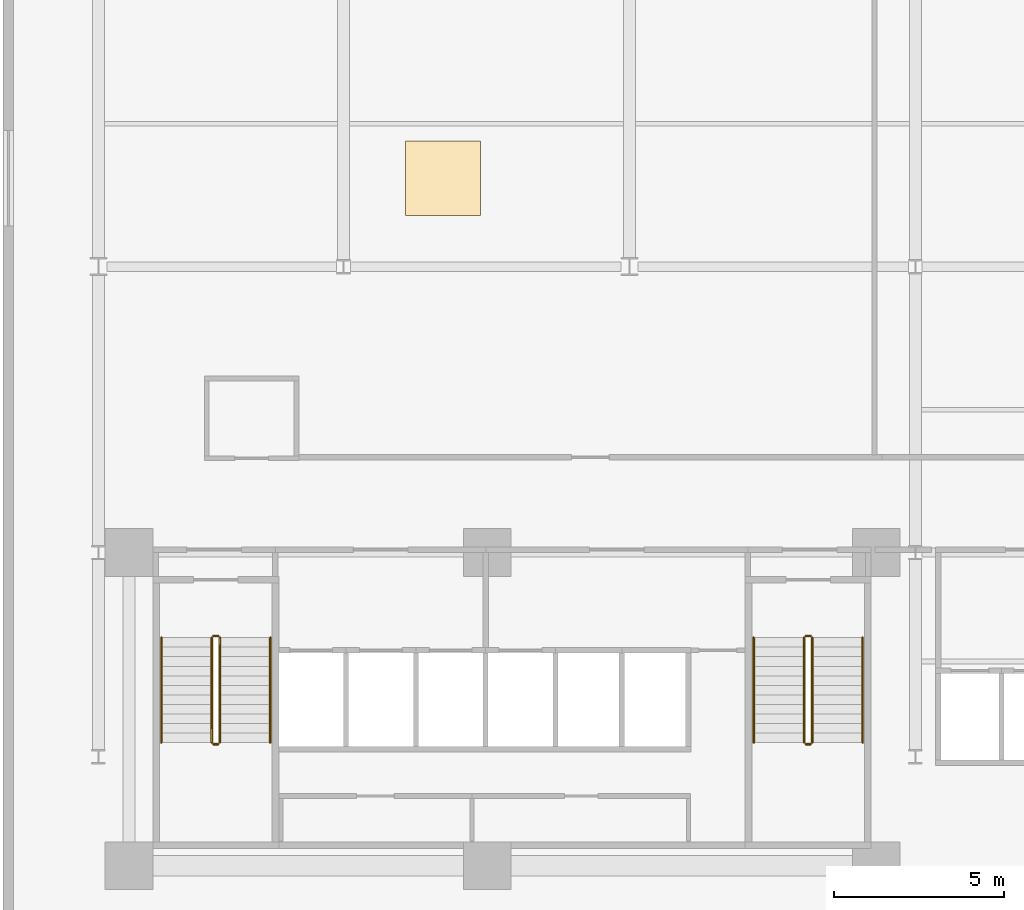
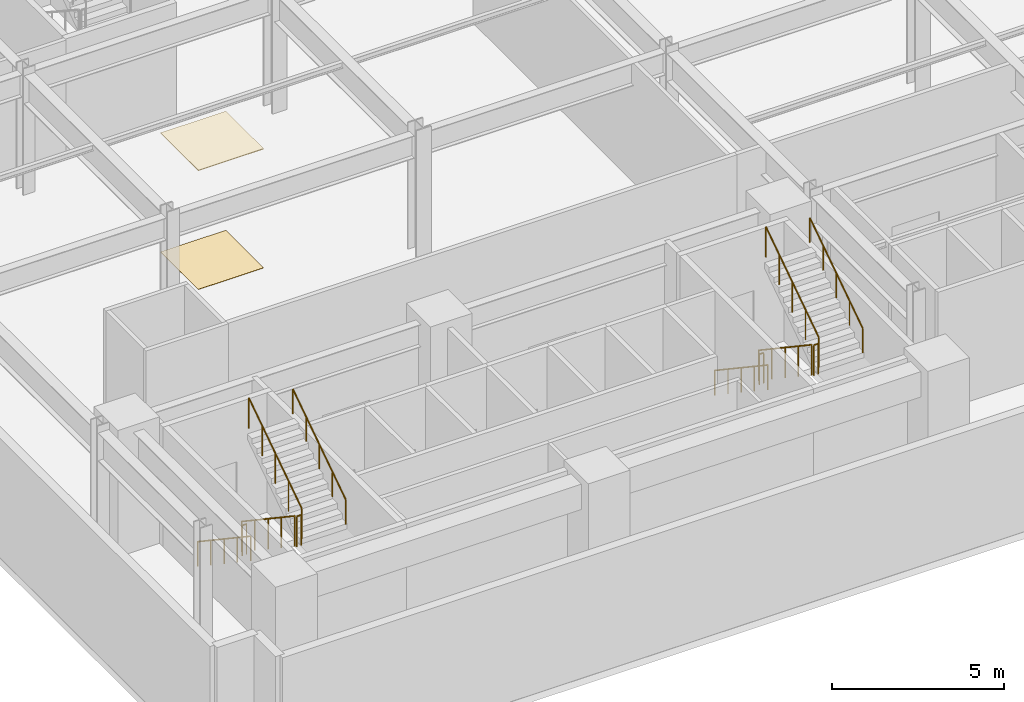
# One storey, part 21 of 26: 12 railings, 2 coverings.
"""IFC4 building model written with IfcOpenShell, lengths in metres."""

from ifc_helpers import new_model, si_unit, direction, frame, origin, origin_2d, place, context, subcontext, project, spatial, rectangle, circle, extrude, material, layer, layer_set, type_object, element, save


model = new_model("IFC4")

# Units and contexts
model_context = context("Model", 3, precision=1e-05, world=origin(), true_north=direction((0.0, 1.0)))
body_context = subcontext(model_context, "Body", "Model", "MODEL_VIEW")
ifc_project = project(units=[si_unit("LENGTHUNIT", "METRE"), si_unit("AREAUNIT", "SQUARE_METRE"), si_unit("VOLUMEUNIT", "CUBIC_METRE"), si_unit("PLANEANGLEUNIT", "RADIAN"), si_unit("MASSUNIT", "GRAM", prefix="KILO")], contexts=[model_context])

# Site, building, storey
site_placement = place(None, origin())
site = spatial("IfcSite", under=ifc_project, at=site_placement, CompositionType="ELEMENT")
building_placement = place(site_placement, origin())
building = spatial("IfcBuilding", under=site, at=building_placement, Name="Varnakote Quay Hospital", CompositionType="ELEMENT")
storey_placement = place(building_placement, frame((0.0, 0.0, 13.5)))
storey = spatial("IfcBuildingStorey", under=building, at=storey_placement, Name="L03", CompositionType="ELEMENT", Elevation=13.5)

# Coverings
ifc_material_1 = material(Name="Antimicrobial acoustic mineral ceiling tile", Category="gypsum")
ifc_layer_1 = layer(ifc_material_1, 0.02490234375)
ifc_layer_set_1 = layer_set([ifc_layer_1], Name="Antimicrobial acoustic mineral ceiling tile")
covering_type_1 = type_object("IfcCoveringType", Name="COV-CLIN-CEIL-25", PredefinedType="CEILING", material=ifc_layer_set_1)
covering_1_placement = place(storey_placement, frame((11.324951171875, 22.9951171875, 4.22509765625), z_axis=(0.0, 0.0, 1.0), x_axis=(1.0, 0.0, 0.0)))
element("IfcCovering", 1, at=covering_1_placement, inside=storey, type_object=covering_type_1, Name="L03 Antimicrobial Acoustic Ceiling Tile", PredefinedType="CEILING", context=body_context, shape_type="SweptSolid", body=[
    extrude(rectangle(XDim=2.199951171875, YDim=2.199951171875, at=origin_2d()), origin(), (0.0, 0.0, 1.0), 0.02490234375),
])
ifc_material_2 = material(Name="Seamless clinical sheet vinyl flooring")
ifc_layer_2 = layer(ifc_material_2, 0.011962890625)
ifc_layer_set_2 = layer_set([ifc_layer_2], Name="Seamless clinical sheet vinyl flooring")
covering_type_2 = type_object("IfcCoveringType", Name="COV-CLIN-VINYL-12", PredefinedType="FLOORING", material=ifc_layer_set_2)
covering_2_placement = place(storey_placement, frame((11.324951171875, 22.9951171875, 0.0), z_axis=(0.0, 0.0, 1.0), x_axis=(1.0, 0.0, 0.0)))
element("IfcCovering", 2, at=covering_2_placement, inside=storey, type_object=covering_type_2, Name="L03 Seamless Clinical Vinyl Flooring", PredefinedType="FLOORING", context=body_context, shape_type="SweptSolid", body=[
    extrude(rectangle(XDim=2.199951171875, YDim=2.199951171875, at=origin_2d()), origin(), (0.0, 0.0, 1.0), 0.011962890625),
])

# Railings
ifc_material_3 = material(Name="Brushed stainless steel balustrade", Category="steel")
railing_type_1 = type_object("IfcRailingType", Name="RLG-STAIR-GUARD-1150", PredefinedType="GUARDRAIL", material=ifc_material_3)
railing_1_placement = place(storey_placement, frame((4.530029296875, 9.5, 0.1875)))
element("IfcRailing", 3, at=railing_1_placement, inside=storey, type_object=railing_type_1, Name="L03 ST-01 stair guard 1", PredefinedType="GUARDRAIL", context=body_context, shape_type="SweptSolid", body=[
    extrude(circle(Radius=0.02392578125, at=origin_2d()), frame((0.0, 0.0, 1.076171875), z_axis=(0.0, -0.830913701846, 0.55640131208), x_axis=(1.0, 0.0, 0.0)), (0.0, 0.0, 1.0), 3.706787109375),
    extrude(circle(Radius=0.02099609375, at=origin_2d()), origin(), (0.0, 0.0, 1.0), 1.052001953125),
    extrude(circle(Radius=0.02099609375, at=origin_2d()), frame((0.0, -0.77001953125, 0.515625)), (0.0, 0.0, 1.0), 1.052001953125),
    extrude(circle(Radius=0.02099609375, at=origin_2d()), frame((0.0, -1.5400390625, 1.03125)), (0.0, 0.0, 1.0), 1.052001953125),
    extrude(circle(Radius=0.02099609375, at=origin_2d()), frame((0.0, -2.31005859375, 1.546875)), (0.0, 0.0, 1.0), 1.052001953125),
    extrude(circle(Radius=0.02099609375, at=origin_2d()), frame((0.0, -3.080078125, 2.0625)), (0.0, 0.0, 1.0), 1.052001953125),
])
railing_2_placement = place(storey_placement, frame((4.580078125, 6.3701171875, 2.25)))
element("IfcRailing", 4, at=railing_2_placement, inside=storey, type_object=railing_type_1, Name="L03 ST-01 stair guard 2", PredefinedType="GUARDRAIL", context=body_context, shape_type="SweptSolid", body=[
    extrude(circle(Radius=0.02392578125, at=origin_2d()), frame((0.0, 0.0, 1.076171875), z_axis=(1.0, 0.0, 0.0), x_axis=(0.0, 1.0, 0.0)), (0.0, 0.0, 1.0), 0.139892578125),
    extrude(circle(Radius=0.02099609375, at=origin_2d()), origin(), (0.0, 0.0, 1.0), 1.052001953125),
    extrude(circle(Radius=0.02099609375, at=origin_2d()), frame((0.139892578125, 0.0, 0.0)), (0.0, 0.0, 1.0), 1.052001953125),
])
railing_3_placement = place(storey_placement, frame((4.77001953125, 6.419921875, 2.4375)))
element("IfcRailing", 5, at=railing_3_placement, inside=storey, type_object=railing_type_1, Name="L03 ST-01 stair guard 3", PredefinedType="GUARDRAIL", context=body_context, shape_type="SweptSolid", body=[
    extrude(circle(Radius=0.02392578125, at=origin_2d()), frame((0.0, 0.0, 1.076171875), z_axis=(0.0, 0.830913701846, 0.55640131208), x_axis=(-1.0, 0.0, 0.0)), (0.0, 0.0, 1.0), 3.706787109375),
    extrude(circle(Radius=0.02099609375, at=origin_2d()), origin(), (0.0, 0.0, 1.0), 1.052001953125),
    extrude(circle(Radius=0.02099609375, at=origin_2d()), frame((0.0, 0.77001953125, 0.515625)), (0.0, 0.0, 1.0), 1.052001953125),
    extrude(circle(Radius=0.02099609375, at=origin_2d()), frame((0.0, 1.5400390625, 1.03125)), (0.0, 0.0, 1.0), 1.052001953125),
    extrude(circle(Radius=0.02099609375, at=origin_2d()), frame((0.0, 2.31005859375, 1.546875)), (0.0, 0.0, 1.0), 1.052001953125),
    extrude(circle(Radius=0.02099609375, at=origin_2d()), frame((0.0, 3.080078125, 2.0625)), (0.0, 0.0, 1.0), 1.052001953125),
])
railing_4_placement = place(storey_placement, frame((4.580078125, 9.550048828125, 0.0)))
element("IfcRailing", 6, at=railing_4_placement, inside=storey, type_object=railing_type_1, Name="L03 ST-01 stair guard 4", PredefinedType="GUARDRAIL", context=body_context, shape_type="SweptSolid", body=[
    extrude(circle(Radius=0.02392578125, at=origin_2d()), frame((0.0, 0.0, 1.076171875), z_axis=(1.0, 0.0, 0.0), x_axis=(0.0, 1.0, 0.0)), (0.0, 0.0, 1.0), 0.139892578125),
    extrude(circle(Radius=0.02099609375, at=origin_2d()), origin(), (0.0, 0.0, 1.0), 1.052001953125),
    extrude(circle(Radius=0.02099609375, at=origin_2d()), frame((0.139892578125, 0.0, 0.0)), (0.0, 0.0, 1.0), 1.052001953125),
])
railing_5_placement = place(storey_placement, frame((21.929931640625, 9.5, 0.1875)))
element("IfcRailing", 7, at=railing_5_placement, inside=storey, type_object=railing_type_1, Name="L03 ST-02 stair guard 1", PredefinedType="GUARDRAIL", context=body_context, shape_type="SweptSolid", body=[
    extrude(circle(Radius=0.02392578125, at=origin_2d()), frame((0.0, 0.0, 1.076171875), z_axis=(0.0, -0.830913701846, 0.55640131208), x_axis=(1.0, 0.0, 0.0)), (0.0, 0.0, 1.0), 3.706787109375),
    extrude(circle(Radius=0.02099609375, at=origin_2d()), origin(), (0.0, 0.0, 1.0), 1.052001953125),
    extrude(circle(Radius=0.02099609375, at=origin_2d()), frame((0.0, -0.77001953125, 0.515625)), (0.0, 0.0, 1.0), 1.052001953125),
    extrude(circle(Radius=0.02099609375, at=origin_2d()), frame((0.0, -1.5400390625, 1.03125)), (0.0, 0.0, 1.0), 1.052001953125),
    extrude(circle(Radius=0.02099609375, at=origin_2d()), frame((0.0, -2.31005859375, 1.546875)), (0.0, 0.0, 1.0), 1.052001953125),
    extrude(circle(Radius=0.02099609375, at=origin_2d()), frame((0.0, -3.080078125, 2.0625)), (0.0, 0.0, 1.0), 1.052001953125),
])
railing_6_placement = place(storey_placement, frame((21.97998046875, 6.3701171875, 2.25)))
element("IfcRailing", 8, at=railing_6_placement, inside=storey, type_object=railing_type_1, Name="L03 ST-02 stair guard 2", PredefinedType="GUARDRAIL", context=body_context, shape_type="SweptSolid", body=[
    extrude(circle(Radius=0.02392578125, at=origin_2d()), frame((0.0, 0.0, 1.076171875), z_axis=(1.0, 0.0, 0.0), x_axis=(0.0, 1.0, 0.0)), (0.0, 0.0, 1.0), 0.14013671875),
    extrude(circle(Radius=0.02099609375, at=origin_2d()), origin(), (0.0, 0.0, 1.0), 1.052001953125),
    extrude(circle(Radius=0.02099609375, at=origin_2d()), frame((0.14013671875, 0.0, 0.0)), (0.0, 0.0, 1.0), 1.052001953125),
])
railing_7_placement = place(storey_placement, frame((22.169921875, 6.419921875, 2.4375)))
element("IfcRailing", 9, at=railing_7_placement, inside=storey, type_object=railing_type_1, Name="L03 ST-02 stair guard 3", PredefinedType="GUARDRAIL", context=body_context, shape_type="SweptSolid", body=[
    extrude(circle(Radius=0.02392578125, at=origin_2d()), frame((0.0, 0.0, 1.076171875), z_axis=(0.0, 0.830913701846, 0.55640131208), x_axis=(-1.0, 0.0, 0.0)), (0.0, 0.0, 1.0), 3.706787109375),
    extrude(circle(Radius=0.02099609375, at=origin_2d()), origin(), (0.0, 0.0, 1.0), 1.052001953125),
    extrude(circle(Radius=0.02099609375, at=origin_2d()), frame((0.0, 0.77001953125, 0.515625)), (0.0, 0.0, 1.0), 1.052001953125),
    extrude(circle(Radius=0.02099609375, at=origin_2d()), frame((0.0, 1.5400390625, 1.03125)), (0.0, 0.0, 1.0), 1.052001953125),
    extrude(circle(Radius=0.02099609375, at=origin_2d()), frame((0.0, 2.31005859375, 1.546875)), (0.0, 0.0, 1.0), 1.052001953125),
    extrude(circle(Radius=0.02099609375, at=origin_2d()), frame((0.0, 3.080078125, 2.0625)), (0.0, 0.0, 1.0), 1.052001953125),
])
railing_8_placement = place(storey_placement, frame((21.97998046875, 9.550048828125, 0.0)))
element("IfcRailing", 10, at=railing_8_placement, inside=storey, type_object=railing_type_1, Name="L03 ST-02 stair guard 4", PredefinedType="GUARDRAIL", context=body_context, shape_type="SweptSolid", body=[
    extrude(circle(Radius=0.02392578125, at=origin_2d()), frame((0.0, 0.0, 1.076171875), z_axis=(1.0, 0.0, 0.0), x_axis=(0.0, 1.0, 0.0)), (0.0, 0.0, 1.0), 0.14013671875),
    extrude(circle(Radius=0.02099609375, at=origin_2d()), origin(), (0.0, 0.0, 1.0), 1.052001953125),
    extrude(circle(Radius=0.02099609375, at=origin_2d()), frame((0.14013671875, 0.0, 0.0)), (0.0, 0.0, 1.0), 1.052001953125),
])
ifc_material_4 = material(Name="Brushed stainless steel handrail", Category="steel")
railing_type_2 = type_object("IfcRailingType", Name="RLG-STAIR-HND-920", PredefinedType="HANDRAIL", material=ifc_material_4)
railing_9_placement = place(storey_placement, frame((3.050048828125, 9.5, 0.1875)))
element("IfcRailing", 11, at=railing_9_placement, inside=storey, type_object=railing_type_2, Name="L03 ST-01 stair handrail 1", PredefinedType="HANDRAIL", context=body_context, shape_type="SweptSolid", body=[
    extrude(circle(Radius=0.02392578125, at=origin_2d()), frame((0.0, 0.0, 0.8759765625), z_axis=(0.0, -0.830913701846, 0.55640131208), x_axis=(1.0, 0.0, 0.0)), (0.0, 0.0, 1.0), 3.706787109375),
    extrude(circle(Radius=0.02099609375, at=origin_2d()), origin(), (0.0, 0.0, 1.0), 0.851806640625),
    extrude(circle(Radius=0.02099609375, at=origin_2d()), frame((0.0, -0.77001953125, 0.515625)), (0.0, 0.0, 1.0), 0.851806640625),
    extrude(circle(Radius=0.02099609375, at=origin_2d()), frame((0.0, -1.5400390625, 1.03125)), (0.0, 0.0, 1.0), 0.851806640625),
    extrude(circle(Radius=0.02099609375, at=origin_2d()), frame((0.0, -2.31005859375, 1.546875)), (0.0, 0.0, 1.0), 0.851806640625),
    extrude(circle(Radius=0.02099609375, at=origin_2d()), frame((0.0, -3.080078125, 2.0625)), (0.0, 0.0, 1.0), 0.851806640625),
])
railing_10_placement = place(storey_placement, frame((6.25, 6.419921875, 2.4375)))
element("IfcRailing", 12, at=railing_10_placement, inside=storey, type_object=railing_type_2, Name="L03 ST-01 stair handrail 2", PredefinedType="HANDRAIL", context=body_context, shape_type="SweptSolid", body=[
    extrude(circle(Radius=0.02392578125, at=origin_2d()), frame((0.0, 0.0, 0.8759765625), z_axis=(0.0, 0.830913701846, 0.55640131208), x_axis=(-1.0, 0.0, 0.0)), (0.0, 0.0, 1.0), 3.706787109375),
    extrude(circle(Radius=0.02099609375, at=origin_2d()), origin(), (0.0, 0.0, 1.0), 0.851806640625),
    extrude(circle(Radius=0.02099609375, at=origin_2d()), frame((0.0, 0.77001953125, 0.515625)), (0.0, 0.0, 1.0), 0.851806640625),
    extrude(circle(Radius=0.02099609375, at=origin_2d()), frame((0.0, 1.5400390625, 1.03125)), (0.0, 0.0, 1.0), 0.851806640625),
    extrude(circle(Radius=0.02099609375, at=origin_2d()), frame((0.0, 2.31005859375, 1.546875)), (0.0, 0.0, 1.0), 0.851806640625),
    extrude(circle(Radius=0.02099609375, at=origin_2d()), frame((0.0, 3.080078125, 2.0625)), (0.0, 0.0, 1.0), 0.851806640625),
])
railing_11_placement = place(storey_placement, frame((20.449951171875, 9.5, 0.1875)))
element("IfcRailing", 13, at=railing_11_placement, inside=storey, type_object=railing_type_2, Name="L03 ST-02 stair handrail 1", PredefinedType="HANDRAIL", context=body_context, shape_type="SweptSolid", body=[
    extrude(circle(Radius=0.02392578125, at=origin_2d()), frame((0.0, 0.0, 0.8759765625), z_axis=(0.0, -0.830913701846, 0.55640131208), x_axis=(1.0, 0.0, 0.0)), (0.0, 0.0, 1.0), 3.706787109375),
    extrude(circle(Radius=0.02099609375, at=origin_2d()), origin(), (0.0, 0.0, 1.0), 0.851806640625),
    extrude(circle(Radius=0.02099609375, at=origin_2d()), frame((0.0, -0.77001953125, 0.515625)), (0.0, 0.0, 1.0), 0.851806640625),
    extrude(circle(Radius=0.02099609375, at=origin_2d()), frame((0.0, -1.5400390625, 1.03125)), (0.0, 0.0, 1.0), 0.851806640625),
    extrude(circle(Radius=0.02099609375, at=origin_2d()), frame((0.0, -2.31005859375, 1.546875)), (0.0, 0.0, 1.0), 0.851806640625),
    extrude(circle(Radius=0.02099609375, at=origin_2d()), frame((0.0, -3.080078125, 2.0625)), (0.0, 0.0, 1.0), 0.851806640625),
])
railing_12_placement = place(storey_placement, frame((23.64990234375, 6.419921875, 2.4375)))
element("IfcRailing", 14, at=railing_12_placement, inside=storey, type_object=railing_type_2, Name="L03 ST-02 stair handrail 2", PredefinedType="HANDRAIL", context=body_context, shape_type="SweptSolid", body=[
    extrude(circle(Radius=0.02392578125, at=origin_2d()), frame((0.0, 0.0, 0.8759765625), z_axis=(0.0, 0.830913701846, 0.55640131208), x_axis=(-1.0, 0.0, 0.0)), (0.0, 0.0, 1.0), 3.706787109375),
    extrude(circle(Radius=0.02099609375, at=origin_2d()), origin(), (0.0, 0.0, 1.0), 0.851806640625),
    extrude(circle(Radius=0.02099609375, at=origin_2d()), frame((0.0, 0.77001953125, 0.515625)), (0.0, 0.0, 1.0), 0.851806640625),
    extrude(circle(Radius=0.02099609375, at=origin_2d()), frame((0.0, 1.5400390625, 1.03125)), (0.0, 0.0, 1.0), 0.851806640625),
    extrude(circle(Radius=0.02099609375, at=origin_2d()), frame((0.0, 2.31005859375, 1.546875)), (0.0, 0.0, 1.0), 0.851806640625),
    extrude(circle(Radius=0.02099609375, at=origin_2d()), frame((0.0, 3.080078125, 2.0625)), (0.0, 0.0, 1.0), 0.851806640625),
])

save(model, "model.ifc")
